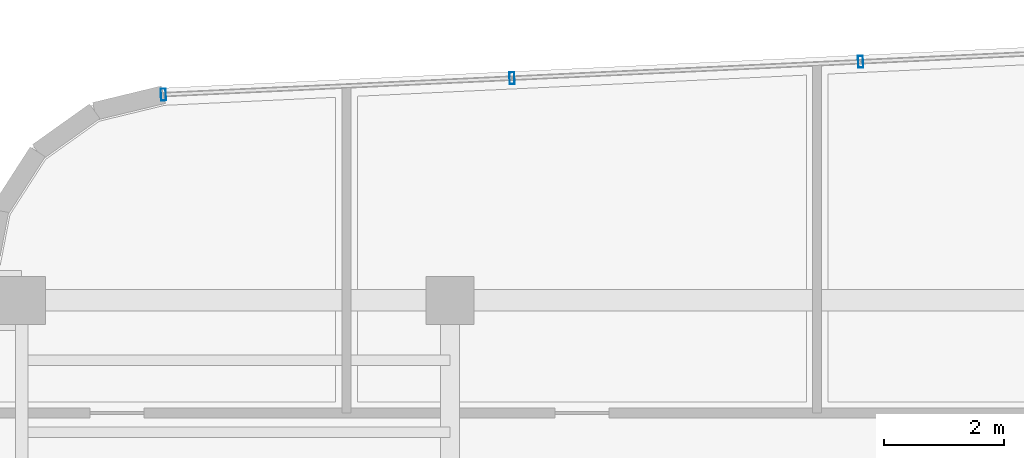
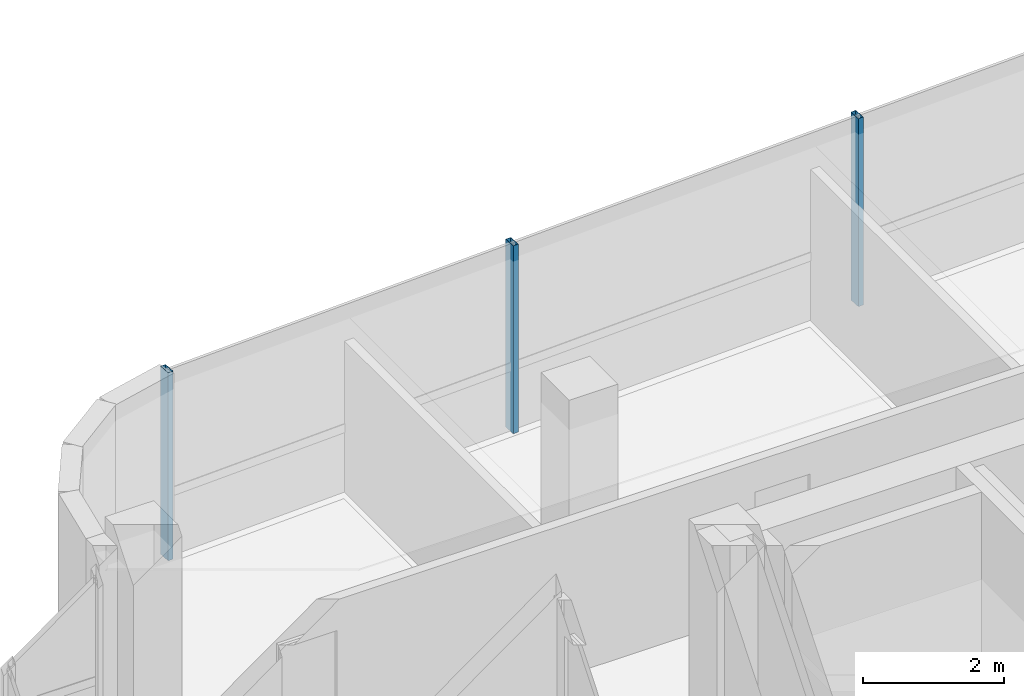
# One storey, part 12 of 21: 3 members, 1 element without a shape of its own.
"""IFC4 building model written with IfcOpenShell, lengths in metres."""

from ifc_helpers import new_model, si_unit, direction, frame, origin, origin_2d, place, context, subcontext, project, spatial, hollow_rectangle, extrude, source, transform, mapped, material, material_profile, profile_set, type_object, element, aggregate, save


model = new_model("IFC4")

# Units and contexts
model_context = context("Model", 3, precision=1e-05, world=origin(), true_north=direction((0.0, 1.0)))
body_context = subcontext(model_context, "Body", "Model", "MODEL_VIEW")
ifc_project = project(units=[si_unit("LENGTHUNIT", "METRE"), si_unit("AREAUNIT", "SQUARE_METRE"), si_unit("VOLUMEUNIT", "CUBIC_METRE"), si_unit("PLANEANGLEUNIT", "RADIAN"), si_unit("MASSUNIT", "GRAM", prefix="KILO")], contexts=[model_context])

# Site, building, storey
site_placement = place(None, origin())
site = spatial("IfcSite", under=ifc_project, at=site_placement, CompositionType="ELEMENT")
building_placement = place(site_placement, origin())
building = spatial("IfcBuilding", under=site, at=building_placement, Name="Valdorenza Pilgrim Sanctuary Tower", CompositionType="ELEMENT")
storey_placement = place(building_placement, frame((0.0, 0.0, 258.0)))
storey = spatial("IfcBuildingStorey", under=building, at=storey_placement, Name="L67", CompositionType="ELEMENT", Elevation=258.0)

# Curtain wall, members
ifc_material_1 = material(Name="Curtain-wall IGU glazing", Category="glass")
curtain_wall_type = type_object("IfcCurtainWallType", Name="CW-SYS-02", PredefinedType="NOTDEFINED", material=ifc_material_1)
curtain_wall_placement = place(storey_placement, origin())
curtain_wall = element("IfcCurtainWall", 1, at=curtain_wall_placement, inside=storey, type_object=curtain_wall_type, Name="L67 Curtain Wall CW-L67-1-6", PredefinedType="NOTDEFINED")
ifc_material_2 = material(Name="Anodised aluminium AW-6060", Category="aluminium")
ifc_material_profile = material_profile(ifc_material_2, hollow_rectangle(XDim=0.0849609375, YDim=0.199951171875, WallThickness=0.0048828125, at=origin_2d()), Name="ALU-M 200x85x5")
ifc_profile_set = profile_set([ifc_material_profile], Name="Anodised aluminium AW-6060")
member_type = type_object("IfcMemberType", Name="CW-MUL-02", PredefinedType="MULLION", material=ifc_profile_set)
shared_shape = source(origin(), body_context, "Body", "SweptSolid", [
    extrude(hollow_rectangle(XDim=0.0849609375, YDim=0.199951171875, WallThickness=0.0048828125, at=origin_2d()), origin(), (0.0, 0.0, 1.0), 3.260009765625),
])
member_1_placement = place(storey_placement, frame((-27.43505859375, 18.234375, 0.0), z_axis=(0.0, 0.0, 1.0), x_axis=(0.998890696972, 0.047089016785, 0.0)))
member_1 = element("IfcMember", 2, at=member_1_placement, type_object=member_type, Name="CW-L67-1-6 Mullion 1", PredefinedType="MULLION", context=body_context, shape_type="MappedRepresentation", body=[
    mapped(shared_shape, transform((0.0, 0.0, 0.0), x_axis=(1.0, 0.0, 0.0), y_axis=(0.0, 1.0, 0.0), z_axis=(0.0, 0.0, 1.0), scale=1.0)),
])
member_2_placement = place(storey_placement, frame((-21.615478515625, 18.5087890625, 0.0), z_axis=(0.0, 0.0, 1.0), x_axis=(0.998890696972, 0.047089016785, 0.0)))
member_2 = element("IfcMember", 3, at=member_2_placement, type_object=member_type, Name="CW-L67-1-6 Mullion 2", PredefinedType="MULLION", context=body_context, shape_type="MappedRepresentation", body=[
    mapped(shared_shape, transform((0.0, 0.0, 0.0), x_axis=(1.0, 0.0, 0.0), y_axis=(0.0, 1.0, 0.0), z_axis=(0.0, 0.0, 1.0), scale=1.0)),
])
member_3_placement = place(storey_placement, frame((-15.7958984375, 18.782958984375, 0.0), z_axis=(0.0, 0.0, 1.0), x_axis=(0.998890696972, 0.047089016785, 0.0)))
member_3 = element("IfcMember", 4, at=member_3_placement, type_object=member_type, Name="CW-L67-1-6 Mullion 3", PredefinedType="MULLION", context=body_context, shape_type="MappedRepresentation", body=[
    mapped(shared_shape, transform((0.0, 0.0, 0.0), x_axis=(1.0, 0.0, 0.0), y_axis=(0.0, 1.0, 0.0), z_axis=(0.0, 0.0, 1.0), scale=1.0)),
])
aggregate(curtain_wall, [member_1, member_2, member_3])

save(model, "model.ifc")
